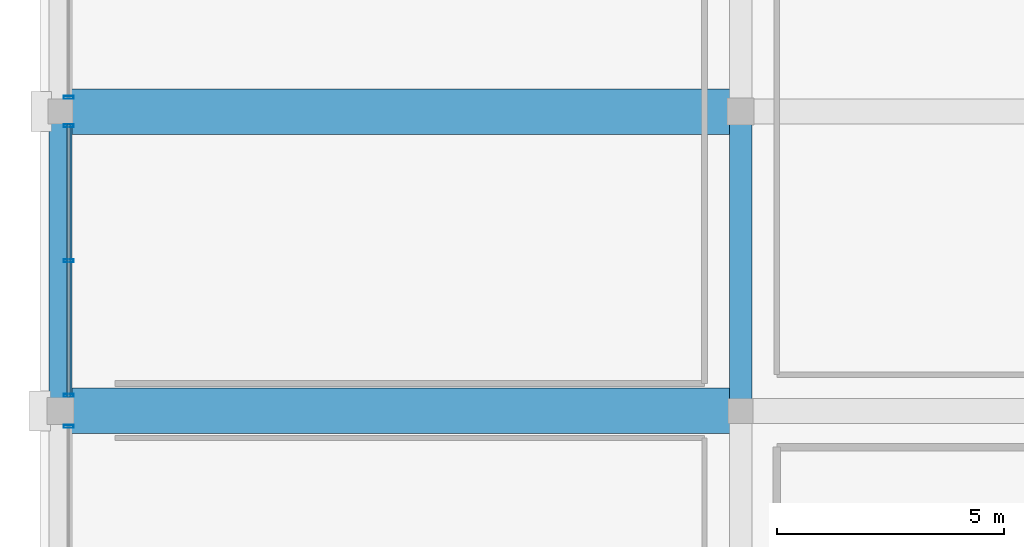
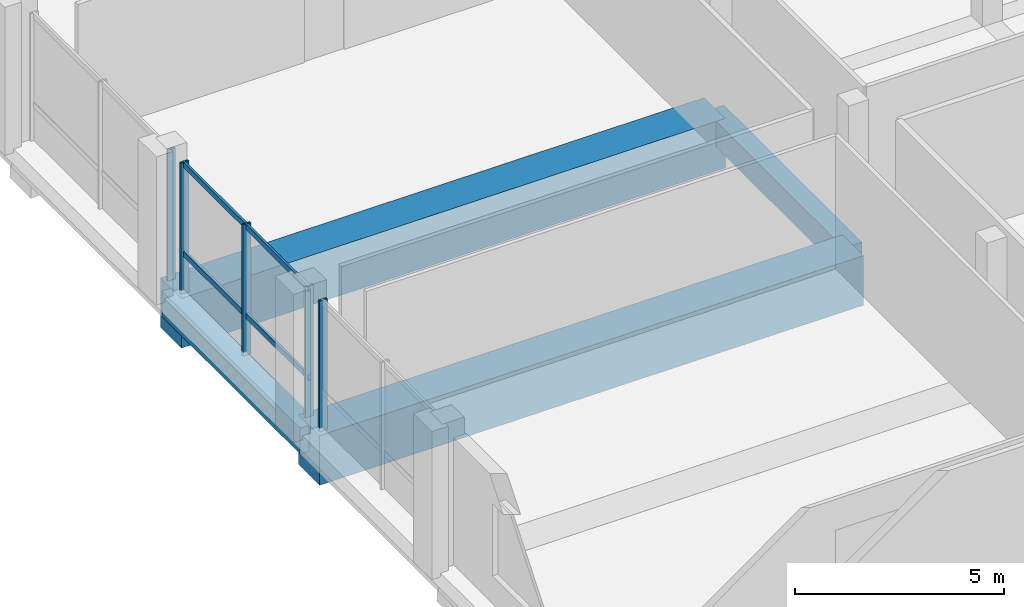
# One storey, part 21 of 68: 7 members, 4 beams, 3 elements without a shape of their own.
"""IFC4 building model written with IfcOpenShell, lengths in metres."""

from ifc_helpers import new_model, si_unit, direction, frame, origin, origin_2d, place, context, subcontext, project, spatial, rectangle, hollow_rectangle, extrude, material, material_profile, profile_set, type_object, element, aggregate, save


model = new_model("IFC4")

# Units and contexts
model_context = context("Model", 3, precision=1e-05, world=origin(), true_north=direction((0.0, 1.0)))
body_context = subcontext(model_context, "Body", "Model", "MODEL_VIEW")
ifc_project = project(units=[si_unit("LENGTHUNIT", "METRE"), si_unit("AREAUNIT", "SQUARE_METRE"), si_unit("VOLUMEUNIT", "CUBIC_METRE"), si_unit("PLANEANGLEUNIT", "RADIAN"), si_unit("MASSUNIT", "GRAM", prefix="KILO")], contexts=[model_context])

# Site, building, storey
site_placement = place(None, origin())
site = spatial("IfcSite", under=ifc_project, at=site_placement, CompositionType="ELEMENT")
building_placement = place(site_placement, origin())
building = spatial("IfcBuilding", under=site, at=building_placement, Name="Akrevak Sports Hall", CompositionType="ELEMENT")
storey_placement = place(building_placement, frame((0.0, 0.0, 9.39990234375)))
storey = spatial("IfcBuildingStorey", under=building, at=storey_placement, Name="L02", CompositionType="ELEMENT", Elevation=9.39990234375)

# Curtain wall, member
ifc_material_1 = material(Name="Anodized Bronze Aluminium & Low-E Glass", Category="aluminium")
curtain_wall_type = type_object("IfcCurtainWallType", Name="ARC-CW-POD-64x42", PredefinedType="NOTDEFINED", material=ifc_material_1)
curtain_wall_1_placement = place(storey_placement, origin())
curtain_wall_1 = element("IfcCurtainWall", 1, at=curtain_wall_1_placement, inside=storey, type_object=curtain_wall_type, Name="Curtain Wall CW-L02-W05", PredefinedType="NOTDEFINED")
ifc_material_2 = material(Name="Anodized Bronze Aluminium", Category="aluminium")
ifc_material_profile_1 = material_profile(ifc_material_2, hollow_rectangle(XDim=0.06494140625, YDim=0.219970703125, WallThickness=0.00439453125, at=origin_2d()), Name="CWM 65x220", Category="aluminium")
ifc_profile_set_1 = profile_set([ifc_material_profile_1], Name="Anodized Bronze Aluminium")
member_type_1 = type_object("IfcMemberType", Name="ARC-CWM-70x160", PredefinedType="MULLION", material=ifc_profile_set_1)
member_1_placement = place(storey_placement, frame((0.179931640625, 48.260009765625, 0.0), z_axis=(0.0, 0.0, 1.0), x_axis=(0.0, -1.0, 0.0)))
member_1 = element("IfcMember", 2, at=member_1_placement, type_object=member_type_1, Name="Curtain Wall Mullion CW-L02-W05-M1", PredefinedType="MULLION", context=body_context, shape_type="SweptSolid", body=[
    extrude(hollow_rectangle(XDim=0.06494140625, YDim=0.219970703125, WallThickness=0.00439453125, at=origin_2d()), origin(), (0.0, 0.0, 1.0), 3.820068359375),
])
aggregate(curtain_wall_1, [member_1])

# Curtain wall, members
curtain_wall_2_placement = place(storey_placement, origin())
curtain_wall_2 = element("IfcCurtainWall", 3, at=curtain_wall_2_placement, inside=storey, type_object=curtain_wall_type, Name="Curtain Wall CW-L02-W06", PredefinedType="NOTDEFINED")
member_2_placement = place(storey_placement, frame((0.179931640625, 54.885009765625, 0.0), z_axis=(0.0, 0.0, 1.0), x_axis=(0.0, -1.0, 0.0)))
member_2 = element("IfcMember", 4, at=member_2_placement, type_object=member_type_1, Name="Curtain Wall Mullion CW-L02-W06-M1", PredefinedType="MULLION", context=body_context, shape_type="SweptSolid", body=[
    extrude(hollow_rectangle(XDim=0.06494140625, YDim=0.219970703125, WallThickness=0.00439453125, at=origin_2d()), origin(), (0.0, 0.0, 1.0), 3.820068359375),
])
member_3_placement = place(storey_placement, frame((0.179931640625, 51.91259765625, 0.0), z_axis=(0.0, 0.0, 1.0), x_axis=(0.0, -1.0, 0.0)))
member_3 = element("IfcMember", 5, at=member_3_placement, type_object=member_type_1, Name="Curtain Wall Mullion CW-L02-W06-M2", PredefinedType="MULLION", context=body_context, shape_type="SweptSolid", body=[
    extrude(hollow_rectangle(XDim=0.06494140625, YDim=0.219970703125, WallThickness=0.00439453125, at=origin_2d()), origin(), (0.0, 0.0, 1.0), 3.820068359375),
])
member_4_placement = place(storey_placement, frame((0.179931640625, 48.93994140625, 0.0), z_axis=(0.0, 0.0, 1.0), x_axis=(0.0, -1.0, 0.0)))
member_4 = element("IfcMember", 6, at=member_4_placement, type_object=member_type_1, Name="Curtain Wall Mullion CW-L02-W06-M3", PredefinedType="MULLION", context=body_context, shape_type="SweptSolid", body=[
    extrude(hollow_rectangle(XDim=0.06494140625, YDim=0.219970703125, WallThickness=0.00439453125, at=origin_2d()), origin(), (0.0, 0.0, 1.0), 3.820068359375),
])

# Curtain wall, member
curtain_wall_3_placement = place(storey_placement, origin())
curtain_wall_3 = element("IfcCurtainWall", 7, at=curtain_wall_3_placement, inside=storey, type_object=curtain_wall_type, Name="Curtain Wall CW-L02-W07", PredefinedType="NOTDEFINED")
member_5_placement = place(storey_placement, frame((0.179931640625, 55.514892578125, 0.0), z_axis=(0.0, 0.0, 1.0), x_axis=(0.0, -1.0, 0.0)))
member_5 = element("IfcMember", 8, at=member_5_placement, type_object=member_type_1, Name="Curtain Wall Mullion CW-L02-W07-M3", PredefinedType="MULLION", context=body_context, shape_type="SweptSolid", body=[
    extrude(hollow_rectangle(XDim=0.06494140625, YDim=0.219970703125, WallThickness=0.00439453125, at=origin_2d()), origin(), (0.0, 0.0, 1.0), 3.820068359375),
])
aggregate(curtain_wall_3, [member_5])

# Member
ifc_material_profile_2 = material_profile(ifc_material_2, hollow_rectangle(XDim=0.06494140625, YDim=0.159912109375, WallThickness=0.00390625, at=origin_2d()), Name="CWT 65x160", Category="aluminium")
ifc_profile_set_2 = profile_set([ifc_material_profile_2], Name="Anodized Bronze Aluminium")
member_type_2 = type_object("IfcMemberType", Name="ARC-CWT-70x130", PredefinedType="USERDEFINED", material=ifc_profile_set_2)
member_6_placement = place(storey_placement, frame((0.179931640625, 54.925048828125, 1.150146484375), z_axis=(0.0, -1.0, 0.0), x_axis=(1.0, 0.0, 0.0)))
member_6 = element("IfcMember", 9, at=member_6_placement, type_object=member_type_2, Name="Curtain Wall Transom CW-L02-W06-T1", ObjectType="TRANSOM", PredefinedType="USERDEFINED", context=body_context, shape_type="SweptSolid", body=[
    extrude(hollow_rectangle(XDim=0.06494140625, YDim=0.159912109375, WallThickness=0.00390625, at=origin_2d()), origin(), (0.0, 0.0, 1.0), 6.025146484375),
])

member_7_placement = place(storey_placement, frame((0.179931640625, 54.925048828125, 3.739990234375), z_axis=(0.0, -1.0, 0.0), x_axis=(1.0, 0.0, 0.0)))
member_7 = element("IfcMember", 10, at=member_7_placement, type_object=member_type_2, Name="Curtain Wall Transom CW-L02-W06-T2", ObjectType="TRANSOM", PredefinedType="USERDEFINED", context=body_context, shape_type="SweptSolid", body=[
    extrude(hollow_rectangle(XDim=0.06494140625, YDim=0.159912109375, WallThickness=0.00390625, at=origin_2d()), origin(), (0.0, 0.0, 1.0), 6.025146484375),
])

aggregate(curtain_wall_2, [member_2, member_3, member_4, member_6, member_7])

# Beams
ifc_material_3 = material(Name="Concrete C50/60", Category="concrete")
ifc_material_profile_3 = material_profile(ifc_material_3, rectangle(XDim=1.0, YDim=1.449951171875, at=origin_2d()), Name="BM 1000x1450", Category="concrete")
ifc_profile_set_3 = profile_set([ifc_material_profile_3], Name="Concrete C50/60")
beam_type_1 = type_object("IfcBeamType", Name="STR-BM-LG1000x1450", PredefinedType="BEAM", material=ifc_profile_set_3)
for number, where, z_axis, x_axis, name in (
    (11, (0.0, 48.60009765625, -0.724853515625), (1.0, 0.0, 0.0), (0.0, 1.0, 0.0), "Girder H/1-3 (L02)"),
    (12, (0.0, 55.199951171875, -0.724853515625), (1.0, 0.0, 0.0), (0.0, 1.0, 0.0), "Girder I/1-3 (L02)"),
):
    element("IfcBeam", number, at=place(storey_placement, frame(where, z_axis=z_axis, x_axis=x_axis)), inside=storey, type_object=beam_type_1, Name=name, PredefinedType="BEAM", context=body_context, shape_type="SweptSolid", body=[
        extrude(rectangle(XDim=1.0, YDim=1.449951171875, at=origin_2d()), origin(), (0.0, 0.0, 1.0), 15.0),
    ])
ifc_material_4 = material(Name="Concrete C40/50", Category="concrete")
ifc_material_profile_4 = material_profile(ifc_material_4, rectangle(XDim=0.5, YDim=0.75, at=origin_2d()), Name="BM 500x750", Category="concrete")
ifc_profile_set_4 = profile_set([ifc_material_profile_4], Name="Concrete C40/50")
beam_type_2 = type_object("IfcBeamType", Name="STR-BM-RC500x750", PredefinedType="BEAM", material=ifc_profile_set_4)
for number, where, z_axis, x_axis, name in (
    (13, (0.0, 48.60009765625, -0.375), (0.0, 1.0, 0.0), (-1.0, 0.0, 0.0), "Girder 1/H-I (L02)"),
    (14, (15.0, 48.60009765625, -0.375), (0.0, 1.0, 0.0), (-1.0, 0.0, 0.0), "Girder 3/H-I (L02)"),
):
    element("IfcBeam", number, at=place(storey_placement, frame(where, z_axis=z_axis, x_axis=x_axis)), inside=storey, type_object=beam_type_2, Name=name, PredefinedType="BEAM", context=body_context, shape_type="SweptSolid", body=[
        extrude(rectangle(XDim=0.5, YDim=0.75, at=origin_2d()), origin(), (0.0, 0.0, 1.0), 6.599853515625),
    ])

save(model, "model.ifc")
